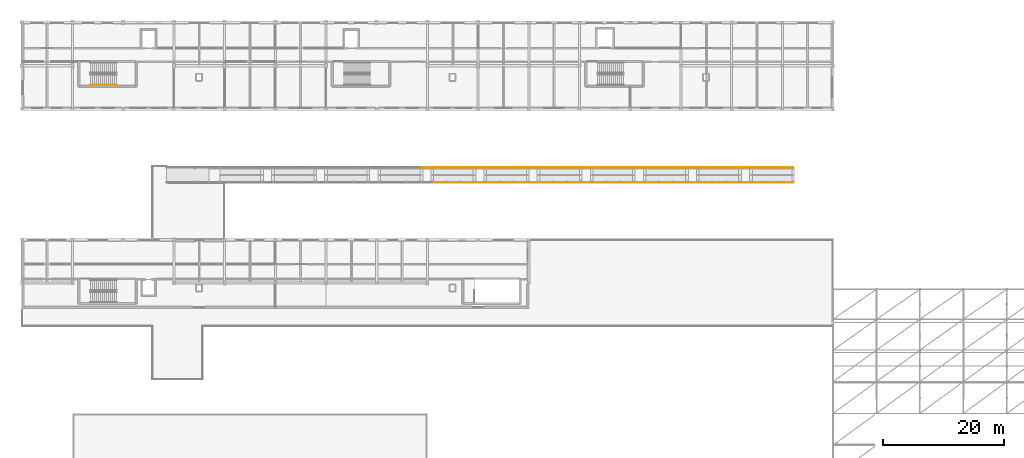
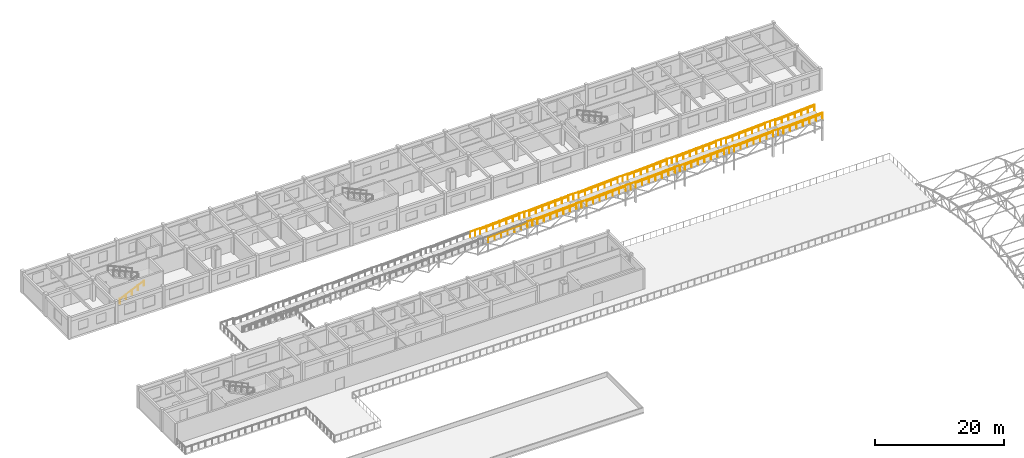
# One storey, part 38 of 41: 41 railings.
"""IFC4 building model written with IfcOpenShell, lengths in metres."""

from ifc_helpers import new_model, si_unit, direction, frame, origin, origin_2d, place, context, subcontext, project, spatial, circle, extrude, material, layer, layer_set, type_object, element, save


model = new_model("IFC4")

# Units and contexts
model_context = context("Model", 3, precision=1e-05, world=origin(), true_north=direction((0.0, 1.0)))
body_context = subcontext(model_context, "Body", "Model", "MODEL_VIEW")
ifc_project = project(units=[si_unit("LENGTHUNIT", "METRE"), si_unit("AREAUNIT", "SQUARE_METRE"), si_unit("VOLUMEUNIT", "CUBIC_METRE"), si_unit("PLANEANGLEUNIT", "RADIAN"), si_unit("MASSUNIT", "GRAM", prefix="KILO")], contexts=[model_context])

# Site, building, storey
site_placement = place(None, origin())
site = spatial("IfcSite", under=ifc_project, at=site_placement, CompositionType="ELEMENT")
building_placement = place(site_placement, origin())
building = spatial("IfcBuilding", under=site, at=building_placement, Name="Malvenik Polytechnic", CompositionType="ELEMENT")
storey_placement = place(building_placement, frame((0.0, 0.0, 17.699951171875)))
storey = spatial("IfcBuildingStorey", under=building, at=storey_placement, Name="L04", CompositionType="ELEMENT", Elevation=17.699951171875)

# Railings
ifc_material_1 = material(Name="Galvanised powder-coated steel and laminated glass guard 1150mm", Category="steel")
ifc_layer_1 = layer(ifc_material_1, 0.070068359375)
ifc_layer_set_1 = layer_set([ifc_layer_1], Name="Galvanised powder-coated steel and laminated glass guard 1150mm")
railing_type_1 = type_object("IfcRailingType", Name="ARC-RL-BAL-1150", PredefinedType="BALUSTRADE", material=ifc_layer_set_1)
railing_1_placement = place(storey_placement, frame((66.199951171875, 105.5400390625, 1.75)))
element("IfcRailing", 1, at=railing_1_placement, inside=storey, type_object=railing_type_1, Name="Ramp Landing Balustrade RB-03 #5N", PredefinedType="BALUSTRADE", context=body_context, shape_type="SweptSolid", body=[
    extrude(circle(Radius=0.02392578125, at=origin_2d()), frame((0.0, 0.0, 1.1259765625), z_axis=(1.0, 0.0, 0.0), x_axis=(0.0, 1.0, 0.0)), (0.0, 0.0, 1.0), 1.800048828125),
    extrude(circle(Radius=0.02099609375, at=origin_2d()), origin(), (0.0, 0.0, 1.0), 1.101806640625),
    extrude(circle(Radius=0.02099609375, at=origin_2d()), frame((0.89990234375, 0.0, 0.0)), (0.0, 0.0, 1.0), 1.101806640625),
    extrude(circle(Radius=0.02099609375, at=origin_2d()), frame((1.800048828125, 0.0, 0.0)), (0.0, 0.0, 1.0), 1.101806640625),
])
railing_2_placement = place(storey_placement, frame((68.0, 105.5400390625, 1.75)))
element("IfcRailing", 2, at=railing_2_placement, inside=storey, type_object=railing_type_1, Name="Ramp Balustrade RB-03 #6N", PredefinedType="BALUSTRADE", context=body_context, shape_type="SweptSolid", body=[
    extrude(circle(Radius=0.02392578125, at=origin_2d()), frame((0.0, 0.0, 1.1259765625), z_axis=(0.998751643845, 0.0, 0.049951515669), x_axis=(0.0, 1.0, 0.0)), (0.0, 0.0, 1.0), 7.0087890625),
    extrude(circle(Radius=0.02099609375, at=origin_2d()), origin(), (0.0, 0.0, 1.0), 1.101806640625),
    extrude(circle(Radius=0.02099609375, at=origin_2d()), frame((1.166748046875, 0.0, 0.058349609375)), (0.0, 0.0, 1.0), 1.101806640625),
    extrude(circle(Radius=0.02099609375, at=origin_2d()), frame((2.333251953125, 0.0, 0.11669921875)), (0.0, 0.0, 1.0), 1.101806640625),
    extrude(circle(Radius=0.02099609375, at=origin_2d()), frame((3.5, 0.0, 0.175048828125)), (0.0, 0.0, 1.0), 1.101806640625),
    extrude(circle(Radius=0.02099609375, at=origin_2d()), frame((4.666748046875, 0.0, 0.2333984375)), (0.0, 0.0, 1.0), 1.101806640625),
    extrude(circle(Radius=0.02099609375, at=origin_2d()), frame((5.833251953125, 0.0, 0.291748046875)), (0.0, 0.0, 1.0), 1.101806640625),
    extrude(circle(Radius=0.02099609375, at=origin_2d()), frame((7.0, 0.0, 0.35009765625)), (0.0, 0.0, 1.0), 1.101806640625),
])
for number, where, name in (
    (3, (75.0, 103.06005859375, 2.10009765625), "Ramp Landing Balustrade RB-03 #6S"),
    (4, (75.0, 105.5400390625, 2.10009765625), "Ramp Landing Balustrade RB-03 #6N"),
):
    element("IfcRailing", number, at=place(storey_placement, frame(where)), inside=storey, type_object=railing_type_1, Name=name, PredefinedType="BALUSTRADE", context=body_context, shape_type="SweptSolid", body=[
        extrude(circle(Radius=0.02392578125, at=origin_2d()), frame((0.0, 0.0, 1.1259765625), z_axis=(1.0, 0.0, 0.0), x_axis=(0.0, 1.0, 0.0)), (0.0, 0.0, 1.0), 1.800048828125),
        extrude(circle(Radius=0.02099609375, at=origin_2d()), origin(), (0.0, 0.0, 1.0), 1.101806640625),
        extrude(circle(Radius=0.02099609375, at=origin_2d()), frame((0.89990234375, 0.0, 0.0)), (0.0, 0.0, 1.0), 1.101806640625),
        extrude(circle(Radius=0.02099609375, at=origin_2d()), frame((1.800048828125, 0.0, 0.0)), (0.0, 0.0, 1.0), 1.101806640625),
    ])
for number, where, name in (
    (5, (76.800048828125, 103.06005859375, 2.10009765625), "Ramp Balustrade RB-03 #7S"),
    (6, (76.800048828125, 105.5400390625, 2.10009765625), "Ramp Balustrade RB-03 #7N"),
):
    element("IfcRailing", number, at=place(storey_placement, frame(where)), inside=storey, type_object=railing_type_1, Name=name, PredefinedType="BALUSTRADE", context=body_context, shape_type="SweptSolid", body=[
        extrude(circle(Radius=0.02392578125, at=origin_2d()), frame((0.0, 0.0, 1.1259765625), z_axis=(0.998753381067, 0.0, 0.049916768801), x_axis=(0.0, 1.0, 0.0)), (0.0, 0.0, 1.0), 7.0087890625),
        extrude(circle(Radius=0.02099609375, at=origin_2d()), origin(), (0.0, 0.0, 1.0), 1.101806640625),
        extrude(circle(Radius=0.02099609375, at=origin_2d()), frame((1.166748046875, 0.0, 0.058349609375)), (0.0, 0.0, 1.0), 1.101806640625),
        extrude(circle(Radius=0.02099609375, at=origin_2d()), frame((2.333251953125, 0.0, 0.11669921875)), (0.0, 0.0, 1.0), 1.101806640625),
        extrude(circle(Radius=0.02099609375, at=origin_2d()), frame((3.5, 0.0, 0.1748046875)), (0.0, 0.0, 1.0), 1.101806640625),
        extrude(circle(Radius=0.02099609375, at=origin_2d()), frame((4.666748046875, 0.0, 0.233154296875)), (0.0, 0.0, 1.0), 1.101806640625),
        extrude(circle(Radius=0.02099609375, at=origin_2d()), frame((5.833251953125, 0.0, 0.29150390625)), (0.0, 0.0, 1.0), 1.101806640625),
        extrude(circle(Radius=0.02099609375, at=origin_2d()), frame((7.0, 0.0, 0.349853515625)), (0.0, 0.0, 1.0), 1.101806640625),
    ])
for number, where, name in (
    (7, (83.800048828125, 103.06005859375, 2.449951171875), "Ramp Landing Balustrade RB-03 #7S"),
    (8, (83.800048828125, 105.5400390625, 2.449951171875), "Ramp Landing Balustrade RB-03 #7N"),
):
    element("IfcRailing", number, at=place(storey_placement, frame(where)), inside=storey, type_object=railing_type_1, Name=name, PredefinedType="BALUSTRADE", context=body_context, shape_type="SweptSolid", body=[
        extrude(circle(Radius=0.02392578125, at=origin_2d()), frame((0.0, 0.0, 1.1259765625), z_axis=(1.0, 0.0, 0.0), x_axis=(0.0, 1.0, 0.0)), (0.0, 0.0, 1.0), 1.800048828125),
        extrude(circle(Radius=0.02099609375, at=origin_2d()), origin(), (0.0, 0.0, 1.0), 1.101806640625),
        extrude(circle(Radius=0.02099609375, at=origin_2d()), frame((0.89990234375, 0.0, 0.0)), (0.0, 0.0, 1.0), 1.101806640625),
        extrude(circle(Radius=0.02099609375, at=origin_2d()), frame((1.800048828125, 0.0, 0.0)), (0.0, 0.0, 1.0), 1.101806640625),
    ])
for number, where, name in (
    (9, (85.60009765625, 103.06005859375, 2.449951171875), "Ramp Balustrade RB-03 #8S"),
    (10, (85.60009765625, 105.5400390625, 2.449951171875), "Ramp Balustrade RB-03 #8N"),
):
    element("IfcRailing", number, at=place(storey_placement, frame(where)), inside=storey, type_object=railing_type_1, Name=name, PredefinedType="BALUSTRADE", context=body_context, shape_type="SweptSolid", body=[
        extrude(circle(Radius=0.02392578125, at=origin_2d()), frame((0.0, 0.0, 1.1259765625), z_axis=(0.998751643845, 0.0, 0.049951515669), x_axis=(0.0, 1.0, 0.0)), (0.0, 0.0, 1.0), 7.0087890625),
        extrude(circle(Radius=0.02099609375, at=origin_2d()), origin(), (0.0, 0.0, 1.0), 1.101806640625),
        extrude(circle(Radius=0.02099609375, at=origin_2d()), frame((1.166748046875, 0.0, 0.058349609375)), (0.0, 0.0, 1.0), 1.101806640625),
        extrude(circle(Radius=0.02099609375, at=origin_2d()), frame((2.333251953125, 0.0, 0.11669921875)), (0.0, 0.0, 1.0), 1.101806640625),
        extrude(circle(Radius=0.02099609375, at=origin_2d()), frame((3.5, 0.0, 0.175048828125)), (0.0, 0.0, 1.0), 1.101806640625),
        extrude(circle(Radius=0.02099609375, at=origin_2d()), frame((4.666748046875, 0.0, 0.2333984375)), (0.0, 0.0, 1.0), 1.101806640625),
        extrude(circle(Radius=0.02099609375, at=origin_2d()), frame((5.833251953125, 0.0, 0.291748046875)), (0.0, 0.0, 1.0), 1.101806640625),
        extrude(circle(Radius=0.02099609375, at=origin_2d()), frame((7.0, 0.0, 0.35009765625)), (0.0, 0.0, 1.0), 1.101806640625),
    ])
for number, where, name in (
    (11, (92.60009765625, 103.06005859375, 2.800048828125), "Ramp Landing Balustrade RB-03 #8S"),
    (12, (92.60009765625, 105.5400390625, 2.800048828125), "Ramp Landing Balustrade RB-03 #8N"),
):
    element("IfcRailing", number, at=place(storey_placement, frame(where)), inside=storey, type_object=railing_type_1, Name=name, PredefinedType="BALUSTRADE", context=body_context, shape_type="SweptSolid", body=[
        extrude(circle(Radius=0.02392578125, at=origin_2d()), frame((0.0, 0.0, 1.1259765625), z_axis=(1.0, 0.0, 0.0), x_axis=(0.0, 1.0, 0.0)), (0.0, 0.0, 1.0), 1.7998046875),
        extrude(circle(Radius=0.02099609375, at=origin_2d()), origin(), (0.0, 0.0, 1.0), 1.101806640625),
        extrude(circle(Radius=0.02099609375, at=origin_2d()), frame((0.89990234375, 0.0, 0.0)), (0.0, 0.0, 1.0), 1.101806640625),
        extrude(circle(Radius=0.02099609375, at=origin_2d()), frame((1.7998046875, 0.0, 0.0)), (0.0, 0.0, 1.0), 1.101806640625),
    ])
for number, where, name in (
    (13, (94.39990234375, 103.06005859375, 2.800048828125), "Ramp Balustrade RB-03 #9S"),
    (14, (94.39990234375, 105.5400390625, 2.800048828125), "Ramp Balustrade RB-03 #9N"),
):
    element("IfcRailing", number, at=place(storey_placement, frame(where)), inside=storey, type_object=railing_type_1, Name=name, PredefinedType="BALUSTRADE", context=body_context, shape_type="SweptSolid", body=[
        extrude(circle(Radius=0.02392578125, at=origin_2d()), frame((0.0, 0.0, 1.1259765625), z_axis=(0.998751643845, 0.0, 0.049951515669), x_axis=(0.0, 1.0, 0.0)), (0.0, 0.0, 1.0), 7.0087890625),
        extrude(circle(Radius=0.02099609375, at=origin_2d()), origin(), (0.0, 0.0, 1.0), 1.101806640625),
        extrude(circle(Radius=0.02099609375, at=origin_2d()), frame((1.166748046875, 0.0, 0.058349609375)), (0.0, 0.0, 1.0), 1.101806640625),
        extrude(circle(Radius=0.02099609375, at=origin_2d()), frame((2.333251953125, 0.0, 0.11669921875)), (0.0, 0.0, 1.0), 1.101806640625),
        extrude(circle(Radius=0.02099609375, at=origin_2d()), frame((3.5, 0.0, 0.175048828125)), (0.0, 0.0, 1.0), 1.101806640625),
        extrude(circle(Radius=0.02099609375, at=origin_2d()), frame((4.666748046875, 0.0, 0.2333984375)), (0.0, 0.0, 1.0), 1.101806640625),
        extrude(circle(Radius=0.02099609375, at=origin_2d()), frame((5.833251953125, 0.0, 0.291748046875)), (0.0, 0.0, 1.0), 1.101806640625),
        extrude(circle(Radius=0.02099609375, at=origin_2d()), frame((7.0, 0.0, 0.35009765625)), (0.0, 0.0, 1.0), 1.101806640625),
    ])
for number, where, name in (
    (15, (101.39990234375, 103.06005859375, 3.150146484375), "Ramp Landing Balustrade RB-03 #9S"),
    (16, (101.39990234375, 105.5400390625, 3.150146484375), "Ramp Landing Balustrade RB-03 #9N"),
):
    element("IfcRailing", number, at=place(storey_placement, frame(where)), inside=storey, type_object=railing_type_1, Name=name, PredefinedType="BALUSTRADE", context=body_context, shape_type="SweptSolid", body=[
        extrude(circle(Radius=0.02392578125, at=origin_2d()), frame((0.0, 0.0, 1.1259765625), z_axis=(1.0, 0.0, 0.0), x_axis=(0.0, 1.0, 0.0)), (0.0, 0.0, 1.0), 1.800048828125),
        extrude(circle(Radius=0.02099609375, at=origin_2d()), origin(), (0.0, 0.0, 1.0), 1.101806640625),
        extrude(circle(Radius=0.02099609375, at=origin_2d()), frame((0.89990234375, 0.0, 0.0)), (0.0, 0.0, 1.0), 1.101806640625),
        extrude(circle(Radius=0.02099609375, at=origin_2d()), frame((1.800048828125, 0.0, 0.0)), (0.0, 0.0, 1.0), 1.101806640625),
    ])
for number, where, name in (
    (17, (103.199951171875, 103.06005859375, 3.150146484375), "Ramp Balustrade RB-03 #10S"),
    (18, (103.199951171875, 105.5400390625, 3.150146484375), "Ramp Balustrade RB-03 #10N"),
):
    element("IfcRailing", number, at=place(storey_placement, frame(where)), inside=storey, type_object=railing_type_1, Name=name, PredefinedType="BALUSTRADE", context=body_context, shape_type="SweptSolid", body=[
        extrude(circle(Radius=0.02392578125, at=origin_2d()), frame((0.0, 0.0, 1.1259765625), z_axis=(0.998753381067, 0.0, 0.049916768801), x_axis=(0.0, 1.0, 0.0)), (0.0, 0.0, 1.0), 7.0087890625),
        extrude(circle(Radius=0.02099609375, at=origin_2d()), origin(), (0.0, 0.0, 1.0), 1.101806640625),
        extrude(circle(Radius=0.02099609375, at=origin_2d()), frame((1.166748046875, 0.0, 0.058349609375)), (0.0, 0.0, 1.0), 1.101806640625),
        extrude(circle(Radius=0.02099609375, at=origin_2d()), frame((2.333251953125, 0.0, 0.11669921875)), (0.0, 0.0, 1.0), 1.101806640625),
        extrude(circle(Radius=0.02099609375, at=origin_2d()), frame((3.5, 0.0, 0.1748046875)), (0.0, 0.0, 1.0), 1.101806640625),
        extrude(circle(Radius=0.02099609375, at=origin_2d()), frame((4.666748046875, 0.0, 0.233154296875)), (0.0, 0.0, 1.0), 1.101806640625),
        extrude(circle(Radius=0.02099609375, at=origin_2d()), frame((5.833251953125, 0.0, 0.29150390625)), (0.0, 0.0, 1.0), 1.101806640625),
        extrude(circle(Radius=0.02099609375, at=origin_2d()), frame((7.0, 0.0, 0.349853515625)), (0.0, 0.0, 1.0), 1.101806640625),
    ])
for number, where, name in (
    (19, (110.199951171875, 103.06005859375, 3.5), "Ramp Landing Balustrade RB-03 #10S"),
    (20, (110.199951171875, 105.5400390625, 3.5), "Ramp Landing Balustrade RB-03 #10N"),
):
    element("IfcRailing", number, at=place(storey_placement, frame(where)), inside=storey, type_object=railing_type_1, Name=name, PredefinedType="BALUSTRADE", context=body_context, shape_type="SweptSolid", body=[
        extrude(circle(Radius=0.02392578125, at=origin_2d()), frame((0.0, 0.0, 1.1259765625), z_axis=(1.0, 0.0, 0.0), x_axis=(0.0, 1.0, 0.0)), (0.0, 0.0, 1.0), 1.800048828125),
        extrude(circle(Radius=0.02099609375, at=origin_2d()), origin(), (0.0, 0.0, 1.0), 1.101806640625),
        extrude(circle(Radius=0.02099609375, at=origin_2d()), frame((0.89990234375, 0.0, 0.0)), (0.0, 0.0, 1.0), 1.101806640625),
        extrude(circle(Radius=0.02099609375, at=origin_2d()), frame((1.800048828125, 0.0, 0.0)), (0.0, 0.0, 1.0), 1.101806640625),
    ])
for number, where, name in (
    (21, (112.0, 103.06005859375, 3.5), "Ramp Balustrade RB-03 #11S"),
    (22, (112.0, 105.5400390625, 3.5), "Ramp Balustrade RB-03 #11N"),
):
    element("IfcRailing", number, at=place(storey_placement, frame(where)), inside=storey, type_object=railing_type_1, Name=name, PredefinedType="BALUSTRADE", context=body_context, shape_type="SweptSolid", body=[
        extrude(circle(Radius=0.02392578125, at=origin_2d()), frame((0.0, 0.0, 1.1259765625), z_axis=(0.998751643845, 0.0, 0.049951515669), x_axis=(0.0, 1.0, 0.0)), (0.0, 0.0, 1.0), 7.0087890625),
        extrude(circle(Radius=0.02099609375, at=origin_2d()), origin(), (0.0, 0.0, 1.0), 1.101806640625),
        extrude(circle(Radius=0.02099609375, at=origin_2d()), frame((1.166748046875, 0.0, 0.058349609375)), (0.0, 0.0, 1.0), 1.101806640625),
        extrude(circle(Radius=0.02099609375, at=origin_2d()), frame((2.333251953125, 0.0, 0.11669921875)), (0.0, 0.0, 1.0), 1.101806640625),
        extrude(circle(Radius=0.02099609375, at=origin_2d()), frame((3.5, 0.0, 0.175048828125)), (0.0, 0.0, 1.0), 1.101806640625),
        extrude(circle(Radius=0.02099609375, at=origin_2d()), frame((4.666748046875, 0.0, 0.2333984375)), (0.0, 0.0, 1.0), 1.101806640625),
        extrude(circle(Radius=0.02099609375, at=origin_2d()), frame((5.833251953125, 0.0, 0.291748046875)), (0.0, 0.0, 1.0), 1.101806640625),
        extrude(circle(Radius=0.02099609375, at=origin_2d()), frame((7.0, 0.0, 0.35009765625)), (0.0, 0.0, 1.0), 1.101806640625),
    ])
for number, where, name in (
    (23, (119.0, 103.06005859375, 3.85009765625), "Ramp Landing Balustrade RB-03 #11S"),
    (24, (119.0, 105.5400390625, 3.85009765625), "Ramp Landing Balustrade RB-03 #11N"),
):
    element("IfcRailing", number, at=place(storey_placement, frame(where)), inside=storey, type_object=railing_type_1, Name=name, PredefinedType="BALUSTRADE", context=body_context, shape_type="SweptSolid", body=[
        extrude(circle(Radius=0.02392578125, at=origin_2d()), frame((0.0, 0.0, 1.1259765625), z_axis=(1.0, 0.0, 0.0), x_axis=(0.0, 1.0, 0.0)), (0.0, 0.0, 1.0), 1.800048828125),
        extrude(circle(Radius=0.02099609375, at=origin_2d()), origin(), (0.0, 0.0, 1.0), 1.101806640625),
        extrude(circle(Radius=0.02099609375, at=origin_2d()), frame((0.89990234375, 0.0, 0.0)), (0.0, 0.0, 1.0), 1.101806640625),
        extrude(circle(Radius=0.02099609375, at=origin_2d()), frame((1.800048828125, 0.0, 0.0)), (0.0, 0.0, 1.0), 1.101806640625),
    ])
for number, where, name in (
    (25, (120.800048828125, 103.06005859375, 3.85009765625), "Ramp Balustrade RB-03 #12S"),
    (26, (120.800048828125, 105.5400390625, 3.85009765625), "Ramp Balustrade RB-03 #12N"),
):
    element("IfcRailing", number, at=place(storey_placement, frame(where)), inside=storey, type_object=railing_type_1, Name=name, PredefinedType="BALUSTRADE", context=body_context, shape_type="SweptSolid", body=[
        extrude(circle(Radius=0.02392578125, at=origin_2d()), frame((0.0, 0.0, 1.1259765625), z_axis=(0.998753381067, 0.0, 0.049916768801), x_axis=(0.0, 1.0, 0.0)), (0.0, 0.0, 1.0), 7.0087890625),
        extrude(circle(Radius=0.02099609375, at=origin_2d()), origin(), (0.0, 0.0, 1.0), 1.101806640625),
        extrude(circle(Radius=0.02099609375, at=origin_2d()), frame((1.166748046875, 0.0, 0.058349609375)), (0.0, 0.0, 1.0), 1.101806640625),
        extrude(circle(Radius=0.02099609375, at=origin_2d()), frame((2.333251953125, 0.0, 0.11669921875)), (0.0, 0.0, 1.0), 1.101806640625),
        extrude(circle(Radius=0.02099609375, at=origin_2d()), frame((3.5, 0.0, 0.1748046875)), (0.0, 0.0, 1.0), 1.101806640625),
        extrude(circle(Radius=0.02099609375, at=origin_2d()), frame((4.666748046875, 0.0, 0.233154296875)), (0.0, 0.0, 1.0), 1.101806640625),
        extrude(circle(Radius=0.02099609375, at=origin_2d()), frame((5.833251953125, 0.0, 0.29150390625)), (0.0, 0.0, 1.0), 1.101806640625),
        extrude(circle(Radius=0.02099609375, at=origin_2d()), frame((7.0, 0.0, 0.349853515625)), (0.0, 0.0, 1.0), 1.101806640625),
    ])
ifc_material_2 = material(Name="Brushed stainless steel 1.4301 tubular handrail 50mm", Category="steel")
ifc_layer_2 = layer(ifc_material_2, 0.050048828125)
ifc_layer_set_2 = layer_set([ifc_layer_2], Name="Brushed stainless steel 1.4301 tubular handrail 50mm")
railing_type_2 = type_object("IfcRailingType", Name="ARC-RL-HR-920", PredefinedType="HANDRAIL", material=ifc_layer_set_2)
for number, where, name in (
    (27, (68.0, 103.06005859375, 1.75), "Ramp Handrail RB-03 #6S"),
    (28, (68.0, 105.5400390625, 1.75), "Ramp Handrail RB-03 #6N"),
):
    element("IfcRailing", number, at=place(storey_placement, frame(where)), inside=storey, type_object=railing_type_2, Name=name, PredefinedType="HANDRAIL", context=body_context, shape_type="SweptSolid", body=[
        extrude(circle(Radius=0.02392578125, at=origin_2d()), frame((0.0, 0.0, 0.89599609375), z_axis=(0.998751643845, 0.0, 0.049951515669), x_axis=(0.0, 1.0, 0.0)), (0.0, 0.0, 1.0), 7.0087890625),
        extrude(circle(Radius=0.02099609375, at=origin_2d()), origin(), (0.0, 0.0, 1.0), 0.871826171875),
        extrude(circle(Radius=0.02099609375, at=origin_2d()), frame((1.166748046875, 0.0, 0.058349609375)), (0.0, 0.0, 1.0), 0.871826171875),
        extrude(circle(Radius=0.02099609375, at=origin_2d()), frame((2.333251953125, 0.0, 0.11669921875)), (0.0, 0.0, 1.0), 0.871826171875),
        extrude(circle(Radius=0.02099609375, at=origin_2d()), frame((3.5, 0.0, 0.175048828125)), (0.0, 0.0, 1.0), 0.871826171875),
        extrude(circle(Radius=0.02099609375, at=origin_2d()), frame((4.666748046875, 0.0, 0.2333984375)), (0.0, 0.0, 1.0), 0.871826171875),
        extrude(circle(Radius=0.02099609375, at=origin_2d()), frame((5.833251953125, 0.0, 0.291748046875)), (0.0, 0.0, 1.0), 0.871826171875),
        extrude(circle(Radius=0.02099609375, at=origin_2d()), frame((7.0, 0.0, 0.35009765625)), (0.0, 0.0, 1.0), 0.871826171875),
    ])
for number, where, name in (
    (29, (76.800048828125, 103.06005859375, 2.10009765625), "Ramp Handrail RB-03 #7S"),
    (30, (76.800048828125, 105.5400390625, 2.10009765625), "Ramp Handrail RB-03 #7N"),
):
    element("IfcRailing", number, at=place(storey_placement, frame(where)), inside=storey, type_object=railing_type_2, Name=name, PredefinedType="HANDRAIL", context=body_context, shape_type="SweptSolid", body=[
        extrude(circle(Radius=0.02392578125, at=origin_2d()), frame((0.0, 0.0, 0.89599609375), z_axis=(0.998753381067, 0.0, 0.049916768801), x_axis=(0.0, 1.0, 0.0)), (0.0, 0.0, 1.0), 7.0087890625),
        extrude(circle(Radius=0.02099609375, at=origin_2d()), origin(), (0.0, 0.0, 1.0), 0.871826171875),
        extrude(circle(Radius=0.02099609375, at=origin_2d()), frame((1.166748046875, 0.0, 0.058349609375)), (0.0, 0.0, 1.0), 0.871826171875),
        extrude(circle(Radius=0.02099609375, at=origin_2d()), frame((2.333251953125, 0.0, 0.11669921875)), (0.0, 0.0, 1.0), 0.871826171875),
        extrude(circle(Radius=0.02099609375, at=origin_2d()), frame((3.5, 0.0, 0.1748046875)), (0.0, 0.0, 1.0), 0.871826171875),
        extrude(circle(Radius=0.02099609375, at=origin_2d()), frame((4.666748046875, 0.0, 0.233154296875)), (0.0, 0.0, 1.0), 0.871826171875),
        extrude(circle(Radius=0.02099609375, at=origin_2d()), frame((5.833251953125, 0.0, 0.29150390625)), (0.0, 0.0, 1.0), 0.871826171875),
        extrude(circle(Radius=0.02099609375, at=origin_2d()), frame((7.0, 0.0, 0.349853515625)), (0.0, 0.0, 1.0), 0.871826171875),
    ])
for number, where, name in (
    (31, (85.60009765625, 103.06005859375, 2.449951171875), "Ramp Handrail RB-03 #8S"),
    (32, (85.60009765625, 105.5400390625, 2.449951171875), "Ramp Handrail RB-03 #8N"),
    (33, (94.39990234375, 103.06005859375, 2.800048828125), "Ramp Handrail RB-03 #9S"),
    (34, (94.39990234375, 105.5400390625, 2.800048828125), "Ramp Handrail RB-03 #9N"),
):
    element("IfcRailing", number, at=place(storey_placement, frame(where)), inside=storey, type_object=railing_type_2, Name=name, PredefinedType="HANDRAIL", context=body_context, shape_type="SweptSolid", body=[
        extrude(circle(Radius=0.02392578125, at=origin_2d()), frame((0.0, 0.0, 0.89599609375), z_axis=(0.998751643845, 0.0, 0.049951515669), x_axis=(0.0, 1.0, 0.0)), (0.0, 0.0, 1.0), 7.0087890625),
        extrude(circle(Radius=0.02099609375, at=origin_2d()), origin(), (0.0, 0.0, 1.0), 0.871826171875),
        extrude(circle(Radius=0.02099609375, at=origin_2d()), frame((1.166748046875, 0.0, 0.058349609375)), (0.0, 0.0, 1.0), 0.871826171875),
        extrude(circle(Radius=0.02099609375, at=origin_2d()), frame((2.333251953125, 0.0, 0.11669921875)), (0.0, 0.0, 1.0), 0.871826171875),
        extrude(circle(Radius=0.02099609375, at=origin_2d()), frame((3.5, 0.0, 0.175048828125)), (0.0, 0.0, 1.0), 0.871826171875),
        extrude(circle(Radius=0.02099609375, at=origin_2d()), frame((4.666748046875, 0.0, 0.2333984375)), (0.0, 0.0, 1.0), 0.871826171875),
        extrude(circle(Radius=0.02099609375, at=origin_2d()), frame((5.833251953125, 0.0, 0.291748046875)), (0.0, 0.0, 1.0), 0.871826171875),
        extrude(circle(Radius=0.02099609375, at=origin_2d()), frame((7.0, 0.0, 0.35009765625)), (0.0, 0.0, 1.0), 0.871826171875),
    ])
for number, where, name in (
    (35, (103.199951171875, 103.06005859375, 3.150146484375), "Ramp Handrail RB-03 #10S"),
    (36, (103.199951171875, 105.5400390625, 3.150146484375), "Ramp Handrail RB-03 #10N"),
):
    element("IfcRailing", number, at=place(storey_placement, frame(where)), inside=storey, type_object=railing_type_2, Name=name, PredefinedType="HANDRAIL", context=body_context, shape_type="SweptSolid", body=[
        extrude(circle(Radius=0.02392578125, at=origin_2d()), frame((0.0, 0.0, 0.89599609375), z_axis=(0.998753381067, 0.0, 0.049916768801), x_axis=(0.0, 1.0, 0.0)), (0.0, 0.0, 1.0), 7.0087890625),
        extrude(circle(Radius=0.02099609375, at=origin_2d()), origin(), (0.0, 0.0, 1.0), 0.871826171875),
        extrude(circle(Radius=0.02099609375, at=origin_2d()), frame((1.166748046875, 0.0, 0.058349609375)), (0.0, 0.0, 1.0), 0.871826171875),
        extrude(circle(Radius=0.02099609375, at=origin_2d()), frame((2.333251953125, 0.0, 0.11669921875)), (0.0, 0.0, 1.0), 0.871826171875),
        extrude(circle(Radius=0.02099609375, at=origin_2d()), frame((3.5, 0.0, 0.1748046875)), (0.0, 0.0, 1.0), 0.871826171875),
        extrude(circle(Radius=0.02099609375, at=origin_2d()), frame((4.666748046875, 0.0, 0.233154296875)), (0.0, 0.0, 1.0), 0.871826171875),
        extrude(circle(Radius=0.02099609375, at=origin_2d()), frame((5.833251953125, 0.0, 0.29150390625)), (0.0, 0.0, 1.0), 0.871826171875),
        extrude(circle(Radius=0.02099609375, at=origin_2d()), frame((7.0, 0.0, 0.349853515625)), (0.0, 0.0, 1.0), 0.871826171875),
    ])
for number, where, name in (
    (37, (112.0, 103.06005859375, 3.5), "Ramp Handrail RB-03 #11S"),
    (38, (112.0, 105.5400390625, 3.5), "Ramp Handrail RB-03 #11N"),
):
    element("IfcRailing", number, at=place(storey_placement, frame(where)), inside=storey, type_object=railing_type_2, Name=name, PredefinedType="HANDRAIL", context=body_context, shape_type="SweptSolid", body=[
        extrude(circle(Radius=0.02392578125, at=origin_2d()), frame((0.0, 0.0, 0.89599609375), z_axis=(0.998751643845, 0.0, 0.049951515669), x_axis=(0.0, 1.0, 0.0)), (0.0, 0.0, 1.0), 7.0087890625),
        extrude(circle(Radius=0.02099609375, at=origin_2d()), origin(), (0.0, 0.0, 1.0), 0.871826171875),
        extrude(circle(Radius=0.02099609375, at=origin_2d()), frame((1.166748046875, 0.0, 0.058349609375)), (0.0, 0.0, 1.0), 0.871826171875),
        extrude(circle(Radius=0.02099609375, at=origin_2d()), frame((2.333251953125, 0.0, 0.11669921875)), (0.0, 0.0, 1.0), 0.871826171875),
        extrude(circle(Radius=0.02099609375, at=origin_2d()), frame((3.5, 0.0, 0.175048828125)), (0.0, 0.0, 1.0), 0.871826171875),
        extrude(circle(Radius=0.02099609375, at=origin_2d()), frame((4.666748046875, 0.0, 0.2333984375)), (0.0, 0.0, 1.0), 0.871826171875),
        extrude(circle(Radius=0.02099609375, at=origin_2d()), frame((5.833251953125, 0.0, 0.291748046875)), (0.0, 0.0, 1.0), 0.871826171875),
        extrude(circle(Radius=0.02099609375, at=origin_2d()), frame((7.0, 0.0, 0.35009765625)), (0.0, 0.0, 1.0), 0.871826171875),
    ])
for number, where, name in (
    (39, (120.800048828125, 103.06005859375, 3.85009765625), "Ramp Handrail RB-03 #12S"),
    (40, (120.800048828125, 105.5400390625, 3.85009765625), "Ramp Handrail RB-03 #12N"),
):
    element("IfcRailing", number, at=place(storey_placement, frame(where)), inside=storey, type_object=railing_type_2, Name=name, PredefinedType="HANDRAIL", context=body_context, shape_type="SweptSolid", body=[
        extrude(circle(Radius=0.02392578125, at=origin_2d()), frame((0.0, 0.0, 0.89599609375), z_axis=(0.998753381067, 0.0, 0.049916768801), x_axis=(0.0, 1.0, 0.0)), (0.0, 0.0, 1.0), 7.0087890625),
        extrude(circle(Radius=0.02099609375, at=origin_2d()), origin(), (0.0, 0.0, 1.0), 0.871826171875),
        extrude(circle(Radius=0.02099609375, at=origin_2d()), frame((1.166748046875, 0.0, 0.058349609375)), (0.0, 0.0, 1.0), 0.871826171875),
        extrude(circle(Radius=0.02099609375, at=origin_2d()), frame((2.333251953125, 0.0, 0.11669921875)), (0.0, 0.0, 1.0), 0.871826171875),
        extrude(circle(Radius=0.02099609375, at=origin_2d()), frame((3.5, 0.0, 0.1748046875)), (0.0, 0.0, 1.0), 0.871826171875),
        extrude(circle(Radius=0.02099609375, at=origin_2d()), frame((4.666748046875, 0.0, 0.233154296875)), (0.0, 0.0, 1.0), 0.871826171875),
        extrude(circle(Radius=0.02099609375, at=origin_2d()), frame((5.833251953125, 0.0, 0.29150390625)), (0.0, 0.0, 1.0), 0.871826171875),
        extrude(circle(Radius=0.02099609375, at=origin_2d()), frame((7.0, 0.0, 0.349853515625)), (0.0, 0.0, 1.0), 0.871826171875),
    ])
ifc_material_3 = material(Name="Brushed stainless steel 1.4301 stair wall handrail", Category="steel")
ifc_layer_3 = layer(ifc_material_3, 0.044921875)
ifc_layer_set_3 = layer_set([ifc_layer_3], Name="Brushed stainless steel 1.4301 stair wall handrail")
railing_type_3 = type_object("IfcRailingType", Name="ARC-RL-STHR", PredefinedType="HANDRAIL", material=ifc_layer_set_3)
railing_3_placement = place(storey_placement, frame((11.39990234375, 119.199951171875, 0.150146484375)))
element("IfcRailing", 41, at=railing_3_placement, inside=storey, type_object=railing_type_3, Name="L04 ST-01 stair handrail 1", PredefinedType="HANDRAIL", context=body_context, shape_type="SweptSolid", body=[
    extrude(circle(Radius=0.02392578125, at=origin_2d()), frame((0.0, 0.0, 0.8759765625), z_axis=(0.910371800137, 0.0, 0.413791234219), x_axis=(0.0, 1.0, 0.0)), (0.0, 0.0, 1.0), 4.71240234375),
    extrude(circle(Radius=0.02099609375, at=origin_2d()), origin(), (0.0, 0.0, 1.0), 0.851806640625),
    extrude(circle(Radius=0.02099609375, at=origin_2d()), frame((1.072509765625, 0.0, 0.487548828125)), (0.0, 0.0, 1.0), 0.851806640625),
    extrude(circle(Radius=0.02099609375, at=origin_2d()), frame((2.14501953125, 0.0, 0.97509765625)), (0.0, 0.0, 1.0), 0.851806640625),
    extrude(circle(Radius=0.02099609375, at=origin_2d()), frame((3.217529296875, 0.0, 1.46240234375)), (0.0, 0.0, 1.0), 0.851806640625),
    extrude(circle(Radius=0.02099609375, at=origin_2d()), frame((4.2900390625, 0.0, 1.949951171875)), (0.0, 0.0, 1.0), 0.851806640625),
])

save(model, "model.ifc")
